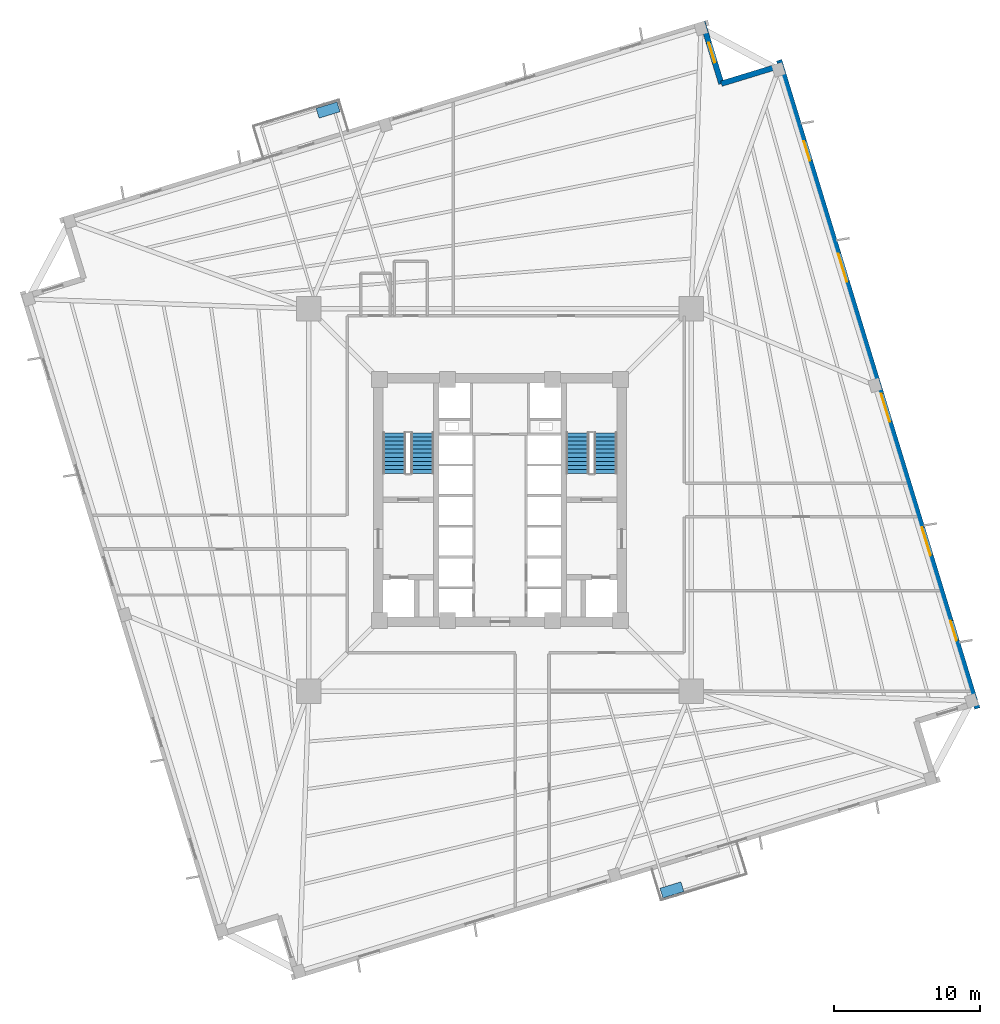
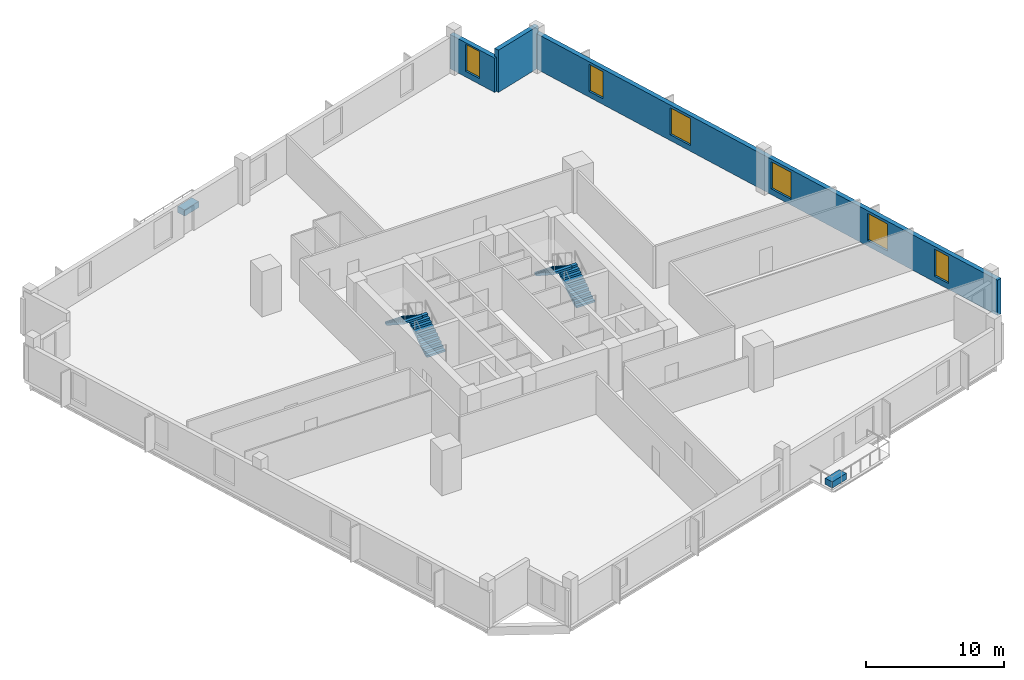
# One storey, part 5 of 8: 6 windows, 4 stair flights, 3 walls, 2 discrete accessories, 6 openings, 2 elements without a shape of their own.
"""IFC4 building model written with IfcOpenShell, lengths in metres."""

from ifc_helpers import new_model, si_unit, direction, frame, frame_2d, origin, origin_2d, place, context, subcontext, project, spatial, polyline, rectangle, outline, extrude, source, transform, mapped, material, layer, layer_set, type_object, element, fill, aggregate, save


model = new_model("IFC4")

# Units and contexts
model_context = context("Model", 3, precision=1e-05, world=origin(), true_north=direction((0.0, 1.0)))
body_context = subcontext(model_context, "Body", "Model", "MODEL_VIEW")
ifc_project = project(units=[si_unit("LENGTHUNIT", "METRE"), si_unit("AREAUNIT", "SQUARE_METRE"), si_unit("VOLUMEUNIT", "CUBIC_METRE"), si_unit("PLANEANGLEUNIT", "RADIAN"), si_unit("MASSUNIT", "GRAM", prefix="KILO"), si_unit("THERMODYNAMICTEMPERATUREUNIT", "KELVIN")], contexts=[model_context])

# Site, building, storey
site_placement = place(None, origin())
site = spatial("IfcSite", under=ifc_project, at=site_placement, CompositionType="ELEMENT")
building_placement = place(site_placement, origin())
building = spatial("IfcBuilding", under=site, at=building_placement, Name="Kosmvard Interchange Tower", CompositionType="ELEMENT")
storey_placement = place(building_placement, frame((0.0, 0.0, 99.199951171875)))
storey = spatial("IfcBuildingStorey", under=building, at=storey_placement, Name="L23", CompositionType="ELEMENT", Elevation=99.199951171875)

# Wall, openings, windows
ifc_material_1 = material(Name="Precast concrete C45/55", Category="concrete")
ifc_layer = layer(ifc_material_1, 0.3798828125, Name="Precast concrete C45/55")
ifc_layer_set = layer_set([ifc_layer], Name="Precast concrete C45/55")
wall_type = type_object("IfcWallType", Name="Lower Tower Precast Pier Wall 380 C45/55", PredefinedType="STANDARD", material=ifc_layer_set)
wall_1_placement = place(storey_placement, frame((32.65771484375, -14.26513671875, 0.0), z_axis=(0.0, 0.0, 1.0), x_axis=(-0.292373127906, 0.956304320851, 0.0)))
wall_1 = element("IfcWall", 1, at=wall_1_placement, inside=storey, type_object=wall_type, Name="L23 Precast Facade Wall F-E", PredefinedType="STANDARD", context=body_context, shape_type="SweptSolid", body=[
    extrude(rectangle(XDim=46.380126953125, YDim=0.3798828125, at=frame_2d((23.18994140625, 0.0))), origin(), (0.0, 0.0, 1.0), 3.14013671875),
])
opening_1_placement = place(wall_1_placement, frame((4.865478515625, 0.0, 0.510009765625)))
opening_1 = element("IfcOpeningElement", 2, at=opening_1_placement, cuts=wall_1, Name="Opening L23-W06", PredefinedType="OPENING", context=body_context, shape_type="SweptSolid", body=[
    extrude(rectangle(XDim=1.39990234375, YDim=2.39990234375, at=frame_2d((0.699951171875, 1.199951171875))), frame((0.0, 0.199951171875, 0.0), z_axis=(0.0, -1.0, 0.0), x_axis=(1.0, 0.0, 0.0)), (0.0, 0.0, 1.0), 0.39990234375),
])
opening_2_placement = place(wall_1_placement, frame((10.9501953125, 0.0, 0.510009765625)))
opening_2 = element("IfcOpeningElement", 3, at=opening_2_placement, cuts=wall_1, Name="Opening L23-W07", PredefinedType="OPENING", context=body_context, shape_type="SweptSolid", body=[
    extrude(rectangle(XDim=2.0, YDim=2.39990234375, at=frame_2d((1.0, 1.199951171875))), frame((0.0, 0.199951171875, 0.0), z_axis=(0.0, -1.0, 0.0), x_axis=(1.0, 0.0, 0.0)), (0.0, 0.0, 1.0), 0.39990234375),
])
opening_3_placement = place(wall_1_placement, frame((20.512451171875, 0.0, 0.510009765625)))
opening_3 = element("IfcOpeningElement", 4, at=opening_3_placement, cuts=wall_1, Name="Opening L23-W08", PredefinedType="OPENING", context=body_context, shape_type="SweptSolid", body=[
    extrude(rectangle(XDim=2.0, YDim=2.39990234375, at=frame_2d((1.0, 1.199951171875))), frame((0.0, 0.199951171875, 0.0), z_axis=(0.0, -1.0, 0.0), x_axis=(1.0, 0.0, 0.0)), (0.0, 0.0, 1.0), 0.39990234375),
])
opening_4_placement = place(wall_1_placement, frame((30.538330078125, 0.0, 0.510009765625)))
opening_4 = element("IfcOpeningElement", 5, at=opening_4_placement, cuts=wall_1, Name="Opening L23-W09", PredefinedType="OPENING", context=body_context, shape_type="SweptSolid", body=[
    extrude(rectangle(XDim=2.0, YDim=2.39990234375, at=frame_2d((1.0, 1.199951171875))), frame((0.0, 0.199951171875, 0.0), z_axis=(0.0, -1.0, 0.0), x_axis=(1.0, 0.0, 0.0)), (0.0, 0.0, 1.0), 0.39990234375),
])
opening_5_placement = place(wall_1_placement, frame((39.186767578125, 0.0, 0.510009765625)))
opening_5 = element("IfcOpeningElement", 6, at=opening_5_placement, cuts=wall_1, Name="Opening L23-W10", PredefinedType="OPENING", context=body_context, shape_type="SweptSolid", body=[
    extrude(rectangle(XDim=1.39990234375, YDim=2.39990234375, at=frame_2d((0.699951171875, 1.199951171875))), frame((0.0, 0.199951171875, 0.0), z_axis=(0.0, -1.0, 0.0), x_axis=(1.0, 0.0, 0.0)), (0.0, 0.0, 1.0), 0.39990234375),
])
ifc_material_2 = material(Name="Low-E solar-control double glazing", Category="glass")
window_type_1 = type_object("IfcWindowType", Name="Notched Corner Feature Window 1400x2400", PartitioningType="SINGLE_PANEL", PredefinedType="WINDOW", material=ifc_material_2)
shared_shape_1 = source(origin(), body_context, "Body", "SweptSolid", [
    extrude(rectangle(XDim=1.39990234375, YDim=2.39990234375, at=frame_2d((0.699951171875, 1.199951171875))), frame((0.0, 0.030029296875, 0.0), z_axis=(0.0, -1.0, 0.0), x_axis=(1.0, 0.0, 0.0)), (0.0, 0.0, 1.0), 0.06005859375),
])
window_1_placement = place(opening_1_placement, origin())
window_1 = element("IfcWindow", 7, at=window_1_placement, inside=storey, type_object=window_type_1, Name="L23 Facade Punched Window 06", OverallHeight=2.39990234375, OverallWidth=1.39990234375, PartitioningType="SINGLE_PANEL", PredefinedType="WINDOW", context=body_context, shape_type="MappedRepresentation", body=[
    mapped(shared_shape_1, transform((0.0, 0.0, 0.0), scale=1.0)),
])
fill(opening_1, window_1)
window_2_placement = place(opening_5_placement, origin())
window_2 = element("IfcWindow", 8, at=window_2_placement, inside=storey, type_object=window_type_1, Name="L23 Facade Punched Window 10", OverallHeight=2.39990234375, OverallWidth=1.39990234375, PartitioningType="SINGLE_PANEL", PredefinedType="WINDOW", context=body_context, shape_type="MappedRepresentation", body=[
    mapped(shared_shape_1, transform((0.0, 0.0, 0.0), scale=1.0)),
])
fill(opening_5, window_2)
window_type_2 = type_object("IfcWindowType", Name="Zone 2 Office Punched Window 2000x2400", PartitioningType="SINGLE_PANEL", PredefinedType="WINDOW", material=ifc_material_2)
shared_shape_2 = source(origin(), body_context, "Body", "SweptSolid", [
    extrude(rectangle(XDim=2.0, YDim=2.39990234375, at=frame_2d((1.0, 1.199951171875))), frame((0.0, 0.030029296875, 0.0), z_axis=(0.0, -1.0, 0.0), x_axis=(1.0, 0.0, 0.0)), (0.0, 0.0, 1.0), 0.06005859375),
])
window_3_placement = place(opening_2_placement, origin())
window_3 = element("IfcWindow", 9, at=window_3_placement, inside=storey, type_object=window_type_2, Name="L23 Facade Punched Window 07", OverallHeight=2.39990234375, OverallWidth=2.0, PartitioningType="SINGLE_PANEL", PredefinedType="WINDOW", context=body_context, shape_type="MappedRepresentation", body=[
    mapped(shared_shape_2, transform((0.0, 0.0, 0.0), scale=1.0)),
])
fill(opening_2, window_3)
window_4_placement = place(opening_3_placement, origin())
window_4 = element("IfcWindow", 10, at=window_4_placement, inside=storey, type_object=window_type_2, Name="L23 Facade Punched Window 08", OverallHeight=2.39990234375, OverallWidth=2.0, PartitioningType="SINGLE_PANEL", PredefinedType="WINDOW", context=body_context, shape_type="MappedRepresentation", body=[
    mapped(shared_shape_2, transform((0.0, 0.0, 0.0), scale=1.0)),
])
fill(opening_3, window_4)
window_5_placement = place(opening_4_placement, origin())
window_5 = element("IfcWindow", 11, at=window_5_placement, inside=storey, type_object=window_type_2, Name="L23 Facade Punched Window 09", OverallHeight=2.39990234375, OverallWidth=2.0, PartitioningType="SINGLE_PANEL", PredefinedType="WINDOW", context=body_context, shape_type="MappedRepresentation", body=[
    mapped(shared_shape_2, transform((0.0, 0.0, 0.0), scale=1.0)),
])
fill(opening_4, window_5)

# Wall
wall_2_placement = place(storey_placement, frame((19.20849609375, 29.724853515625, 0.0), z_axis=(0.0, 0.0, 1.0), x_axis=(-0.956312764915, -0.292345507338, 0.0)))
element("IfcWall", 12, at=wall_2_placement, inside=storey, type_object=wall_type, Name="L23 Precast Facade Wall N-NE1", PredefinedType="STANDARD", context=body_context, shape_type="SweptSolid", body=[
    extrude(rectangle(XDim=4.249755859375, YDim=0.3798828125, at=frame_2d((2.125, 0.0))), origin(), (0.0, 0.0, 1.0), 3.739990234375),
])

# Wall, opening, window
wall_3_placement = place(storey_placement, frame((15.144287109375, 28.482421875, 0.0), z_axis=(0.0, 0.0, 1.0), x_axis=(-0.292373601522, 0.956304176051, 0.0)))
wall_3 = element("IfcWall", 13, at=wall_3_placement, inside=storey, type_object=wall_type, Name="L23 Precast Facade Wall N-NE2", PredefinedType="STANDARD", context=body_context, shape_type="SweptSolid", body=[
    extrude(rectangle(XDim=4.43994140625, YDim=0.3798828125, at=frame_2d((2.219970703125, 0.0))), origin(), (0.0, 0.0, 1.0), 3.0400390625),
])
opening_6_placement = place(wall_3_placement, frame((1.52001953125, 0.0, 0.510009765625)))
opening_6 = element("IfcOpeningElement", 14, at=opening_6_placement, cuts=wall_3, Name="Opening L23-W22", PredefinedType="OPENING", context=body_context, shape_type="SweptSolid", body=[
    extrude(rectangle(XDim=1.39990234375, YDim=2.39990234375, at=frame_2d((0.699951171875, 1.199951171875))), frame((0.0, 0.199951171875, 0.0), z_axis=(0.0, -1.0, 0.0), x_axis=(1.0, 0.0, 0.0)), (0.0, 0.0, 1.0), 0.39990234375),
])
window_6_placement = place(opening_6_placement, origin())
window_6 = element("IfcWindow", 15, at=window_6_placement, inside=storey, type_object=window_type_1, Name="L23 Corner Notch Window 22", OverallHeight=2.39990234375, OverallWidth=1.39990234375, PartitioningType="SINGLE_PANEL", PredefinedType="WINDOW", context=body_context, shape_type="MappedRepresentation", body=[
    mapped(shared_shape_1, transform((0.0, 0.0, 0.0), scale=1.0)),
])
fill(opening_6, window_6)

# Stair, stair flights
ifc_material_3 = material(Name="Concrete C50/60", Category="concrete")
stair_type = type_object("IfcStairType", Name="Dog-Leg Core Exit Stair H4000 C50/60", PredefinedType="HALF_TURN_STAIR", material=ifc_material_3)
stair_1_placement = place(storey_placement, origin())
stair_1 = element("IfcStair", 16, at=stair_1_placement, inside=storey, type_object=stair_type, Name="L23 Protected Exit Stair ST-1", PredefinedType="HALF_TURN_STAIR")
stair_flight_type = type_object("IfcStairFlightType", Name="Core Stair Flight W1550 H4000 C50/60", PredefinedType="STRAIGHT", material=ifc_material_3)
shared_shape_3 = source(origin(), body_context, "Body", "SweptSolid", [
    extrude(outline(polyline([(0.0, 0.0), (0.0, 0.181884765625), (0.280029296875, 0.181884765625), (0.280029296875, 0.363525390625), (0.56005859375, 0.363525390625), (0.56005859375, 0.54541015625), (0.840087890625, 0.54541015625), (0.840087890625, 0.727294921875), (1.1201171875, 0.727294921875), (1.1201171875, 0.9091796875), (1.39990234375, 0.9091796875), (1.39990234375, 1.0908203125), (1.679931640625, 1.0908203125), (1.679931640625, 1.272705078125), (1.9599609375, 1.272705078125), (1.9599609375, 1.45458984375), (2.239990234375, 1.45458984375), (2.239990234375, 1.636474609375), (2.52001953125, 1.636474609375), (2.52001953125, 1.818115234375), (2.800048828125, 1.818115234375), (2.800048828125, 2.0), (2.800048828125, 1.62744140625), (0.293701171875, 0.0), (0.0, 0.0)])), frame((0.0, 0.77490234375, 0.0), z_axis=(0.0, -1.0, 0.0), x_axis=(1.0, 0.0, 0.0)), (0.0, 0.0, 1.0), 1.550048828125),
])
stair_flight_1_placement = place(storey_placement, frame((-5.31494140625, 1.800048828125, 0.0), z_axis=(0.0, 0.0, 1.0), x_axis=(0.0, 1.0, 0.0)))
stair_flight_1 = element("IfcStairFlight", 17, at=stair_flight_1_placement, type_object=stair_flight_type, Name="ST-1 flight 1", NumberOfRisers=11, NumberOfTreads=10, PredefinedType="STRAIGHT", RiserHeight=0.181818182, TreadLength=0.28, context=body_context, shape_type="MappedRepresentation", body=[
    mapped(shared_shape_3, transform((0.0, 0.0, 0.0), scale=1.0)),
])
stair_flight_2_placement = place(storey_placement, frame((-7.22509765625, 4.60009765625, 2.0), z_axis=(0.0, 0.0, 1.0), x_axis=(0.0, -1.0, 0.0)))
stair_flight_2 = element("IfcStairFlight", 18, at=stair_flight_2_placement, type_object=stair_flight_type, Name="ST-1 flight 2", NumberOfRisers=11, NumberOfTreads=10, PredefinedType="STRAIGHT", RiserHeight=0.181818182, TreadLength=0.28, context=body_context, shape_type="MappedRepresentation", body=[
    mapped(shared_shape_3, transform((0.0, 0.0, 0.0), scale=1.0)),
])
aggregate(stair_1, [stair_flight_1, stair_flight_2])

stair_2_placement = place(storey_placement, origin())
stair_2 = element("IfcStair", 19, at=stair_2_placement, inside=storey, type_object=stair_type, Name="L23 Protected Exit Stair ST-2", PredefinedType="HALF_TURN_STAIR")
stair_flight_3_placement = place(storey_placement, frame((7.22509765625, 1.800048828125, 0.0), z_axis=(0.0, 0.0, 1.0), x_axis=(0.0, 1.0, 0.0)))
stair_flight_3 = element("IfcStairFlight", 20, at=stair_flight_3_placement, type_object=stair_flight_type, Name="ST-2 flight 1", NumberOfRisers=11, NumberOfTreads=10, PredefinedType="STRAIGHT", RiserHeight=0.181818182, TreadLength=0.28, context=body_context, shape_type="MappedRepresentation", body=[
    mapped(shared_shape_3, transform((0.0, 0.0, 0.0), scale=1.0)),
])
stair_flight_4_placement = place(storey_placement, frame((5.31494140625, 4.60009765625, 2.0), z_axis=(0.0, 0.0, 1.0), x_axis=(0.0, -1.0, 0.0)))
stair_flight_4 = element("IfcStairFlight", 21, at=stair_flight_4_placement, type_object=stair_flight_type, Name="ST-2 flight 2", NumberOfRisers=11, NumberOfTreads=10, PredefinedType="STRAIGHT", RiserHeight=0.181818182, TreadLength=0.28, context=body_context, shape_type="MappedRepresentation", body=[
    mapped(shared_shape_3, transform((0.0, 0.0, 0.0), scale=1.0)),
])
aggregate(stair_2, [stair_flight_3, stair_flight_4])

# Discrete accessories
ifc_material_4 = material(Name="Terracotta precast planter concrete C45/55", Category="masonry")
discrete_accessory_type = type_object("IfcDiscreteAccessoryType", Name="Precast Tree-Balcony & Terrace Planter Box", PredefinedType="USERDEFINED", material=ifc_material_4)
shared_shape_4 = source(origin(), body_context, "Body", "SweptSolid", [
    extrude(rectangle(XDim=1.5, YDim=0.699951171875, at=origin_2d()), origin(), (0.0, 0.0, 1.0), 0.550048828125),
])
for number, where, z_axis, x_axis, name in (
    (22, (11.763427734375, -26.67626953125, 0.0), (0.0, 0.0, 1.0), (0.956304755963, 0.292371704723, 0.0), "L23 Balcony Tree Planter BAL-L23-SW"),
    (23, (-11.763427734375, 26.67626953125, 0.0), (0.0, 0.0, 1.0), (0.956304755963, 0.292371704723, 0.0), "L23 Balcony Tree Planter BAL-L23-NE"),
):
    element("IfcDiscreteAccessory", number, at=place(storey_placement, frame(where, z_axis=z_axis, x_axis=x_axis)), inside=storey, type_object=discrete_accessory_type, Name=name, ObjectType="PLANTER", PredefinedType="USERDEFINED", context=body_context, shape_type="MappedRepresentation", body=[
        mapped(shared_shape_4, transform((0.0, 0.0, 0.0), scale=1.0)),
    ])

save(model, "model.ifc")
